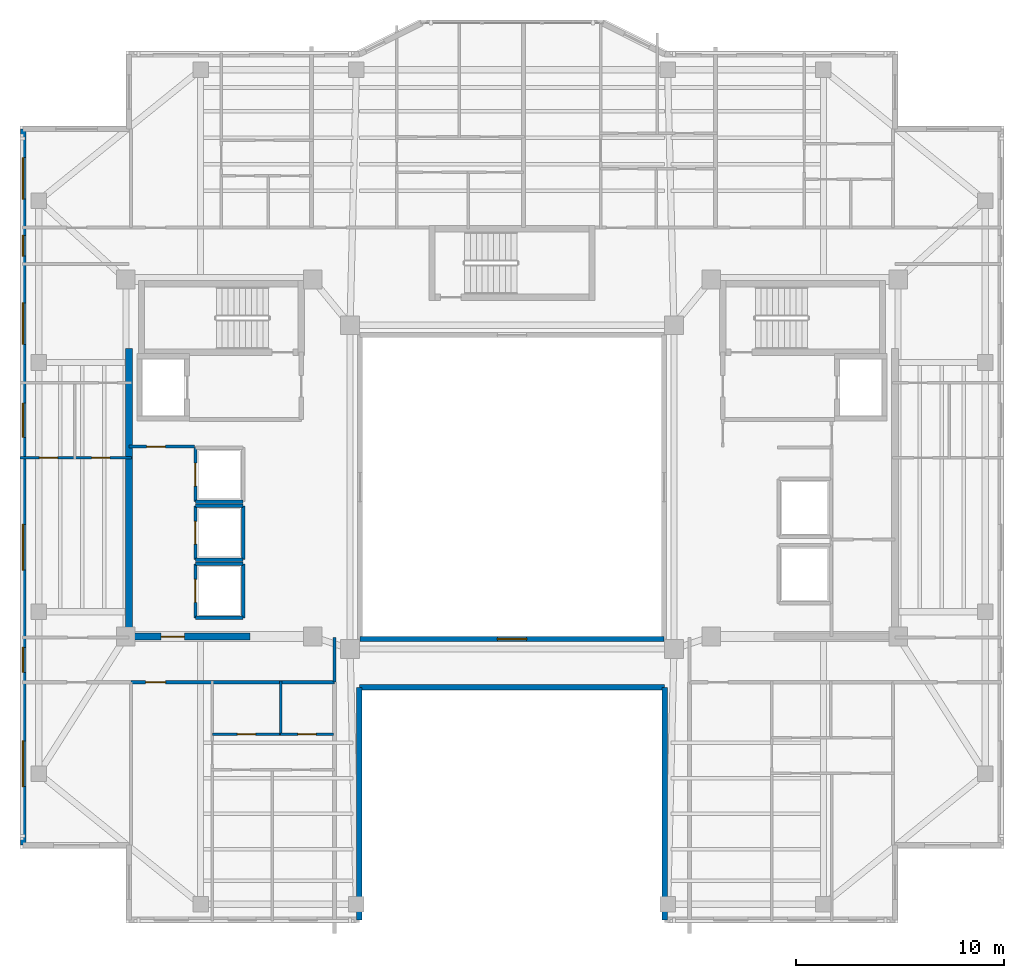
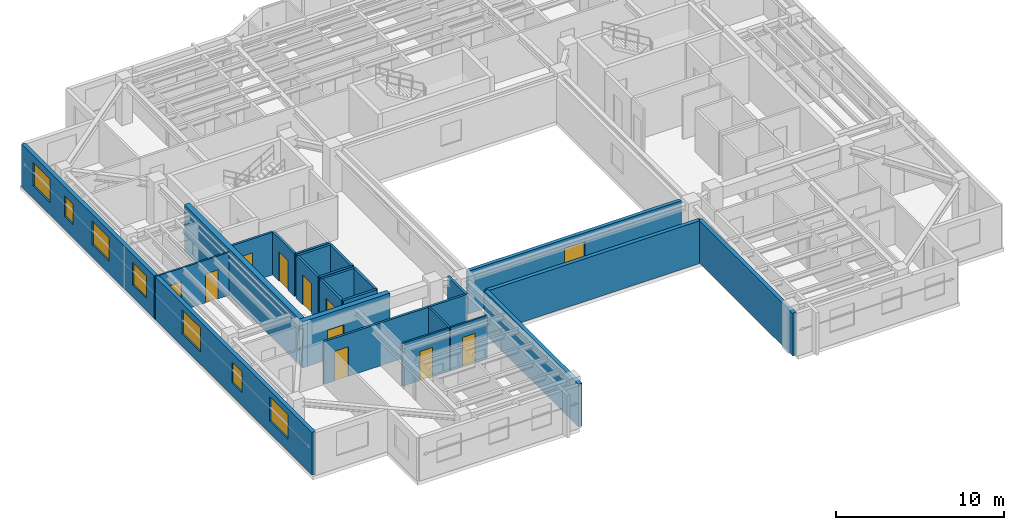
# One storey, part 4 of 12: 24 walls, 10 doors, 8 windows, 18 openings.
"""IFC4 building model written with IfcOpenShell, lengths in metres."""

from ifc_helpers import new_model, si_unit, direction, frame, frame_2d, origin, place, context, subcontext, project, spatial, rectangle, extrude, material, layer, layer_set, type_object, element, fill, save


model = new_model("IFC4")

# Units and contexts
model_context = context("Model", 3, precision=1e-05, world=origin(), true_north=direction((0.0, 1.0)))
body_context = subcontext(model_context, "Body", "Model", "MODEL_VIEW")
ifc_project = project(units=[si_unit("LENGTHUNIT", "METRE"), si_unit("AREAUNIT", "SQUARE_METRE"), si_unit("VOLUMEUNIT", "CUBIC_METRE"), si_unit("PLANEANGLEUNIT", "RADIAN"), si_unit("MASSUNIT", "GRAM", prefix="KILO")], contexts=[model_context])

# Site, building, storey
site_placement = place(None, origin())
site = spatial("IfcSite", under=ifc_project, at=site_placement, CompositionType="ELEMENT")
building_placement = place(site_placement, origin())
building = spatial("IfcBuilding", under=site, at=building_placement, Name="Tarnavaz Court Tower", CompositionType="ELEMENT")
storey_placement = place(building_placement, frame((0.0, 0.0, 200.300048828125)))
storey = spatial("IfcBuildingStorey", under=building, at=storey_placement, Name="L54", CompositionType="ELEMENT", Elevation=200.300048828125)

# Wall
ifc_material_1 = material(Name="Concrete C50/60", Category="concrete")
ifc_layer_1 = layer(ifc_material_1, 0.35009765625)
ifc_layer_set_1 = layer_set([ifc_layer_1], Name="Concrete C50/60")
wall_type_1 = type_object("IfcWallType", Name="WL-CORE-350-C50", PredefinedType="SHEAR", material=ifc_layer_set_1)
wall_1_placement = place(storey_placement, frame((-18.449951171875, -7.375, 0.0), z_axis=(0.0, 0.0, 1.0), x_axis=(0.0, 1.0, 0.0)))
element("IfcWall", 1, at=wall_1_placement, inside=storey, type_object=wall_type_1, Name="L54 West Core Shear Wall 045", PredefinedType="SHEAR", context=body_context, shape_type="SweptSolid", body=[
    extrude(rectangle(XDim=14.050048828125, YDim=0.35009765625, at=frame_2d((7.02490234375, 0.0))), origin(), (0.0, 0.0, 1.0), 3.349853515625),
])

# Wall, opening, door
wall_2_placement = place(storey_placement, frame((-18.625, -7.199951171875, 0.0), z_axis=(0.0, 0.0, 1.0), x_axis=(1.0, 0.0, 0.0)))
wall_2 = element("IfcWall", 2, at=wall_2_placement, inside=storey, type_object=wall_type_1, Name="L54 West Core South Shear Wall 046", PredefinedType="SHEAR", context=body_context, shape_type="SweptSolid", body=[
    extrude(rectangle(XDim=6.0, YDim=0.35009765625, at=frame_2d((3.0, 0.0))), origin(), (0.0, 0.0, 1.0), 3.349853515625),
])
opening_1_placement = place(wall_2_placement, frame((1.72509765625, 0.0, 0.0)))
opening_1 = element("IfcOpeningElement", 3, at=opening_1_placement, cuts=wall_2, Name="Opening D04", PredefinedType="OPENING", context=body_context, shape_type="SweptSolid", body=[
    extrude(rectangle(XDim=1.1201171875, YDim=2.14990234375, at=frame_2d((0.56005859375, 1.074951171875))), frame((0.0, 0.18505859375, 0.0), z_axis=(0.0, -1.0, 0.0), x_axis=(1.0, 0.0, 0.0)), (0.0, 0.0, 1.0), 0.3701171875),
])
ifc_material_2 = material(Name="Fire-Rated Hardwood Timber Core", Category="wood")
door_type_1 = type_object("IfcDoorType", Name="DR-FD60-1100", OperationType="NOTDEFINED", PredefinedType="DOOR", material=ifc_material_2)
door_1_placement = place(opening_1_placement, origin())
door_1 = element("IfcDoor", 4, at=door_1_placement, inside=storey, type_object=door_type_1, Name="L54 West High-Rise Lift Lobby Door", OperationType="SINGLE_SWING_LEFT", OverallHeight=2.14990234375, OverallWidth=1.1201171875, PredefinedType="DOOR", context=body_context, shape_type="SweptSolid", body=[
    extrude(rectangle(XDim=1.1201171875, YDim=2.14990234375, at=frame_2d((0.56005859375, 1.074951171875))), frame((0.0, 0.02490234375, 0.0), z_axis=(0.0, -1.0, 0.0), x_axis=(1.0, 0.0, 0.0)), (0.0, 0.0, 1.0), 0.050048828125),
])
fill(opening_1, door_1)

# Wall, openings, windows
ifc_material_3 = material(Name="Precast Concrete C40/50", Category="concrete")
ifc_layer_2 = layer(ifc_material_3, 0.260009765625)
ifc_layer_set_2 = layer_set([ifc_layer_2], Name="Precast Concrete C40/50")
wall_type_2 = type_object("IfcWallType", Name="WL-EXT-260", PredefinedType="SOLIDWALL", material=ifc_layer_set_2)
wall_3_placement = place(storey_placement, frame((-23.550048828125, -17.25, 0.0), z_axis=(0.0, 0.0, 1.0), x_axis=(0.0, 1.0, 0.0)))
wall_3 = element("IfcWall", 5, at=wall_3_placement, inside=storey, type_object=wall_type_2, Name="L54 Exterior Terracotta Facade Wall 02", PredefinedType="SOLIDWALL", context=body_context, shape_type="SweptSolid", body=[
    extrude(rectangle(XDim=34.5, YDim=0.260009765625, at=frame_2d((17.25, 0.0))), origin(), (0.0, 0.0, 1.0), 3.099853515625),
])
opening_2_placement = place(wall_3_placement, frame((2.824951171875, 0.0, 0.89990234375)))
opening_2 = element("IfcOpeningElement", 6, at=opening_2_placement, cuts=wall_3, Name="Opening W07", PredefinedType="OPENING", context=body_context, shape_type="SweptSolid", body=[
    extrude(rectangle(XDim=2.199951171875, YDim=1.75, at=frame_2d((1.10009765625, 0.875))), frame((0.0, 0.139892578125, 0.0), z_axis=(0.0, -1.0, 0.0), x_axis=(1.0, 0.0, 0.0)), (0.0, 0.0, 1.0), 0.280029296875),
])
opening_3_placement = place(wall_3_placement, frame((8.324951171875, 0.0, 0.949951171875)))
opening_3 = element("IfcOpeningElement", 7, at=opening_3_placement, cuts=wall_3, Name="Opening W05", PredefinedType="OPENING", context=body_context, shape_type="SweptSolid", body=[
    extrude(rectangle(XDim=1.199951171875, YDim=1.5, at=frame_2d((0.60009765625, 0.75))), frame((0.0, 0.139892578125, 0.0), z_axis=(0.0, -1.0, 0.0), x_axis=(1.0, 0.0, 0.0)), (0.0, 0.0, 1.0), 0.280029296875),
])
opening_4_placement = place(wall_3_placement, frame((13.25, 0.0, 0.89990234375)))
opening_4 = element("IfcOpeningElement", 8, at=opening_4_placement, cuts=wall_3, Name="Opening W07", PredefinedType="OPENING", context=body_context, shape_type="SweptSolid", body=[
    extrude(rectangle(XDim=2.199951171875, YDim=1.75, at=frame_2d((1.10009765625, 0.875))), frame((0.0, 0.139892578125, 0.0), z_axis=(0.0, -1.0, 0.0), x_axis=(1.0, 0.0, 0.0)), (0.0, 0.0, 1.0), 0.280029296875),
])
opening_5_placement = place(wall_3_placement, frame((19.64990234375, 0.0, 0.89990234375)))
opening_5 = element("IfcOpeningElement", 9, at=opening_5_placement, cuts=wall_3, Name="Opening W02", PredefinedType="OPENING", context=body_context, shape_type="SweptSolid", body=[
    extrude(rectangle(XDim=1.64990234375, YDim=1.60009765625, at=frame_2d((0.824951171875, 0.800048828125))), frame((0.0, 0.139892578125, 0.0), z_axis=(0.0, -1.0, 0.0), x_axis=(1.0, 0.0, 0.0)), (0.0, 0.0, 1.0), 0.280029296875),
])
opening_6_placement = place(wall_3_placement, frame((24.125, 0.0, 0.89990234375)))
opening_6 = element("IfcOpeningElement", 10, at=opening_6_placement, cuts=wall_3, Name="Opening W08", PredefinedType="OPENING", context=body_context, shape_type="SweptSolid", body=[
    extrude(rectangle(XDim=2.0, YDim=1.699951171875, at=frame_2d((1.0, 0.85009765625))), frame((0.0, 0.139892578125, 0.0), z_axis=(0.0, -1.0, 0.0), x_axis=(1.0, 0.0, 0.0)), (0.0, 0.0, 1.0), 0.280029296875),
])
opening_7_placement = place(wall_3_placement, frame((28.375, 0.0, 0.949951171875)))
opening_7 = element("IfcOpeningElement", 11, at=opening_7_placement, cuts=wall_3, Name="Opening W14", PredefinedType="OPENING", context=body_context, shape_type="SweptSolid", body=[
    extrude(rectangle(XDim=1.0, YDim=1.5, at=frame_2d((0.5, 0.75))), frame((0.0, 0.139892578125, 0.0), z_axis=(0.0, -1.0, 0.0), x_axis=(1.0, 0.0, 0.0)), (0.0, 0.0, 1.0), 0.280029296875),
])
opening_8_placement = place(wall_3_placement, frame((31.125, 0.0, 0.89990234375)))
opening_8 = element("IfcOpeningElement", 12, at=opening_8_placement, cuts=wall_3, Name="Opening W08", PredefinedType="OPENING", context=body_context, shape_type="SweptSolid", body=[
    extrude(rectangle(XDim=2.0, YDim=1.699951171875, at=frame_2d((1.0, 0.85009765625))), frame((0.0, 0.139892578125, 0.0), z_axis=(0.0, -1.0, 0.0), x_axis=(1.0, 0.0, 0.0)), (0.0, 0.0, 1.0), 0.280029296875),
])
ifc_material_4 = material(Name="Double-Glazed Solar Low-E Glass", Category="glass")
window_type_1 = type_object("IfcWindowType", Name="WN-APT-1000", PartitioningType="SINGLE_PANEL", PredefinedType="WINDOW", material=ifc_material_4)
window_1_placement = place(opening_7_placement, origin())
window_1 = element("IfcWindow", 13, at=window_1_placement, inside=storey, type_object=window_type_1, Name="L54 North-West Corner Corridor Window", OverallHeight=1.5, OverallWidth=1.0, PartitioningType="SINGLE_PANEL", PredefinedType="WINDOW", context=body_context, shape_type="SweptSolid", body=[
    extrude(rectangle(XDim=1.0, YDim=1.5, at=frame_2d((0.5, 0.75))), frame((0.0, 0.030029296875, 0.0), z_axis=(0.0, -1.0, 0.0), x_axis=(1.0, 0.0, 0.0)), (0.0, 0.0, 1.0), 0.06005859375),
])
fill(opening_7, window_1)
window_type_2 = type_object("IfcWindowType", Name="WN-APT-1200", PartitioningType="SINGLE_PANEL", PredefinedType="WINDOW", material=ifc_material_4)
window_2_placement = place(opening_3_placement, origin())
window_2 = element("IfcWindow", 14, at=window_2_placement, inside=storey, type_object=window_type_2, Name="L54 South-West Corner Corridor Window", OverallHeight=1.5, OverallWidth=1.199951171875, PartitioningType="SINGLE_PANEL", PredefinedType="WINDOW", context=body_context, shape_type="SweptSolid", body=[
    extrude(rectangle(XDim=1.199951171875, YDim=1.5, at=frame_2d((0.60009765625, 0.75))), frame((0.0, 0.030029296875, 0.0), z_axis=(0.0, -1.0, 0.0), x_axis=(1.0, 0.0, 0.0)), (0.0, 0.0, 1.0), 0.06005859375),
])
fill(opening_3, window_2)
window_type_3 = type_object("IfcWindowType", Name="WN-APT-1650", PartitioningType="DOUBLE_PANEL_VERTICAL", PredefinedType="WINDOW", material=ifc_material_4)
window_3_placement = place(opening_5_placement, origin())
window_3 = element("IfcWindow", 15, at=window_3_placement, inside=storey, type_object=window_type_3, Name="L54 Flat 07 Kitchen Window", OverallHeight=1.60009765625, OverallWidth=1.64990234375, PartitioningType="SINGLE_PANEL", PredefinedType="WINDOW", context=body_context, shape_type="SweptSolid", body=[
    extrude(rectangle(XDim=1.64990234375, YDim=1.60009765625, at=frame_2d((0.824951171875, 0.800048828125))), frame((0.0, 0.030029296875, 0.0), z_axis=(0.0, -1.0, 0.0), x_axis=(1.0, 0.0, 0.0)), (0.0, 0.0, 1.0), 0.06005859375),
])
fill(opening_5, window_3)
window_type_4 = type_object("IfcWindowType", Name="WN-APT-2000", PartitioningType="DOUBLE_PANEL_VERTICAL", PredefinedType="WINDOW", material=ifc_material_4)
window_4_placement = place(opening_6_placement, origin())
window_4 = element("IfcWindow", 16, at=window_4_placement, inside=storey, type_object=window_type_4, Name="L54 Flat 07 Study Room Window", OverallHeight=1.699951171875, OverallWidth=2.0, PartitioningType="SINGLE_PANEL", PredefinedType="WINDOW", context=body_context, shape_type="SweptSolid", body=[
    extrude(rectangle(XDim=2.0, YDim=1.699951171875, at=frame_2d((1.0, 0.85009765625))), frame((0.0, 0.030029296875, 0.0), z_axis=(0.0, -1.0, 0.0), x_axis=(1.0, 0.0, 0.0)), (0.0, 0.0, 1.0), 0.06005859375),
])
fill(opening_6, window_4)
window_5_placement = place(opening_8_placement, origin())
window_5 = element("IfcWindow", 17, at=window_5_placement, inside=storey, type_object=window_type_4, Name="L54 North-West Corner Sunroom Study Window", OverallHeight=1.699951171875, OverallWidth=2.0, PartitioningType="SINGLE_PANEL", PredefinedType="WINDOW", context=body_context, shape_type="SweptSolid", body=[
    extrude(rectangle(XDim=2.0, YDim=1.699951171875, at=frame_2d((1.0, 0.85009765625))), frame((0.0, 0.030029296875, 0.0), z_axis=(0.0, -1.0, 0.0), x_axis=(1.0, 0.0, 0.0)), (0.0, 0.0, 1.0), 0.06005859375),
])
fill(opening_8, window_5)
window_type_5 = type_object("IfcWindowType", Name="WN-APT-2200", PartitioningType="TRIPLE_PANEL_VERTICAL", PredefinedType="WINDOW", material=ifc_material_4)
window_6_placement = place(opening_2_placement, origin())
window_6 = element("IfcWindow", 18, at=window_6_placement, inside=storey, type_object=window_type_5, Name="L54 South-West Corner Reading Room Window", OverallHeight=1.75, OverallWidth=2.199951171875, PartitioningType="SINGLE_PANEL", PredefinedType="WINDOW", context=body_context, shape_type="SweptSolid", body=[
    extrude(rectangle(XDim=2.199951171875, YDim=1.75, at=frame_2d((1.10009765625, 0.875))), frame((0.0, 0.030029296875, 0.0), z_axis=(0.0, -1.0, 0.0), x_axis=(1.0, 0.0, 0.0)), (0.0, 0.0, 1.0), 0.06005859375),
])
fill(opening_2, window_6)
window_7_placement = place(opening_4_placement, origin())
window_7 = element("IfcWindow", 19, at=window_7_placement, inside=storey, type_object=window_type_5, Name="L54 Flat 07 Studio Living and Sleeping Room Window", OverallHeight=1.75, OverallWidth=2.199951171875, PartitioningType="SINGLE_PANEL", PredefinedType="WINDOW", context=body_context, shape_type="SweptSolid", body=[
    extrude(rectangle(XDim=2.199951171875, YDim=1.75, at=frame_2d((1.10009765625, 0.875))), frame((0.0, 0.030029296875, 0.0), z_axis=(0.0, -1.0, 0.0), x_axis=(1.0, 0.0, 0.0)), (0.0, 0.0, 1.0), 0.06005859375),
])
fill(opening_4, window_7)

# Walls
wall_4_placement = place(storey_placement, frame((7.35009765625, -20.85009765625, 0.0), z_axis=(0.0, 0.0, 1.0), x_axis=(0.0, 1.0, 0.0)))
element("IfcWall", 20, at=wall_4_placement, inside=storey, type_object=wall_type_2, Name="L54 Exterior Terracotta Facade Wall 16", PredefinedType="SOLIDWALL", context=body_context, shape_type="SweptSolid", body=[
    extrude(rectangle(XDim=11.2001953125, YDim=0.260009765625, at=frame_2d((5.60009765625, 0.0))), origin(), (0.0, 0.0, 1.0), 3.099853515625),
])
wall_5_placement = place(storey_placement, frame((7.35009765625, -9.64990234375, 0.0), z_axis=(0.0, 0.0, 1.0), x_axis=(-1.0, 0.0, 0.0)))
element("IfcWall", 21, at=wall_5_placement, inside=storey, type_object=wall_type_2, Name="L54 Exterior Terracotta Facade Wall 17", PredefinedType="SOLIDWALL", context=body_context, shape_type="SweptSolid", body=[
    extrude(rectangle(XDim=14.7001953125, YDim=0.260009765625, at=frame_2d((7.35009765625, 0.0))), origin(), (0.0, 0.0, 1.0), 3.099853515625),
])
wall_6_placement = place(storey_placement, frame((-7.35009765625, -9.64990234375, 0.0), z_axis=(0.0, 0.0, 1.0), x_axis=(0.0, -1.0, 0.0)))
element("IfcWall", 22, at=wall_6_placement, inside=storey, type_object=wall_type_2, Name="L54 Exterior Terracotta Facade Wall 18", PredefinedType="SOLIDWALL", context=body_context, shape_type="SweptSolid", body=[
    extrude(rectangle(XDim=11.2001953125, YDim=0.260009765625, at=frame_2d((5.60009765625, 0.0))), origin(), (0.0, 0.0, 1.0), 3.099853515625),
])

# Wall, opening, door
ifc_material_5 = material(Name="Gypsum Fire-Board on Acoustic Metal Stud", Category="masonry")
ifc_layer_3 = layer(ifc_material_5, 0.14990234375)
ifc_layer_set_3 = layer_set([ifc_layer_3], Name="Gypsum Fire-Board on Acoustic Metal Stud")
wall_type_3 = type_object("IfcWallType", Name="WL-FIRE-150", PredefinedType="PARTITIONING", material=ifc_layer_set_3)
wall_7_placement = place(storey_placement, frame((-18.35009765625, -9.39990234375, 0.0), z_axis=(0.0, 0.0, 1.0), x_axis=(1.0, 0.0, 0.0)))
wall_7 = element("IfcWall", 23, at=wall_7_placement, inside=storey, type_object=wall_type_3, Name="L54 SW Lobby Wall 056", PredefinedType="PARTITIONING", context=body_context, shape_type="SweptSolid", body=[
    extrude(rectangle(XDim=9.800048828125, YDim=0.14990234375, at=frame_2d((4.89990234375, 0.0))), origin(), (0.0, 0.0, 1.0), 3.099853515625),
])
opening_9_placement = place(wall_7_placement, frame((0.699951171875, 0.0, 0.0)))
opening_9 = element("IfcOpeningElement", 24, at=opening_9_placement, cuts=wall_7, Name="Opening D06", PredefinedType="OPENING", context=body_context, shape_type="SweptSolid", body=[
    extrude(rectangle(XDim=0.9599609375, YDim=2.14990234375, at=frame_2d((0.47998046875, 1.074951171875))), frame((0.0, 0.0849609375, 0.0), z_axis=(0.0, -1.0, 0.0), x_axis=(1.0, 0.0, 0.0)), (0.0, 0.0, 1.0), 0.169921875),
])
door_type_2 = type_object("IfcDoorType", Name="DR-FD60-950", OperationType="NOTDEFINED", PredefinedType="DOOR", material=ifc_material_2)
door_2_placement = place(opening_9_placement, origin())
door_2 = element("IfcDoor", 25, at=door_2_placement, inside=storey, type_object=door_type_2, Name="L54 Flat 05 Entrance Door", OperationType="SINGLE_SWING_RIGHT", OverallHeight=2.14990234375, OverallWidth=0.9599609375, PredefinedType="DOOR", context=body_context, shape_type="SweptSolid", body=[
    extrude(rectangle(XDim=0.9599609375, YDim=2.14990234375, at=frame_2d((0.47998046875, 1.074951171875))), frame((0.0, 0.02490234375, 0.0), z_axis=(0.0, -1.0, 0.0), x_axis=(1.0, 0.0, 0.0)), (0.0, 0.0, 1.0), 0.050048828125),
])
fill(opening_9, door_2)

# Wall
wall_8_placement = place(storey_placement, frame((-8.550048828125, -9.39990234375, 0.0), z_axis=(0.0, 0.0, 1.0), x_axis=(0.0, 1.0, 0.0)))
element("IfcWall", 26, at=wall_8_placement, inside=storey, type_object=wall_type_3, Name="L54 West Spine End Wall 058", PredefinedType="PARTITIONING", context=body_context, shape_type="SweptSolid", body=[
    extrude(rectangle(XDim=2.14990234375, YDim=0.14990234375, at=frame_2d((1.074951171875, 0.0))), origin(), (0.0, 0.0, 1.0), 3.099853515625),
])

# Wall, opening, door
ifc_material_6 = material(Name="Moisture-Resistant Gypsum Board Partition", Category="masonry")
ifc_layer_4 = layer(ifc_material_6, 0.1201171875)
ifc_layer_set_4 = layer_set([ifc_layer_4], Name="Moisture-Resistant Gypsum Board Partition")
wall_type_4 = type_object("IfcWallType", Name="WL-PART-120", PredefinedType="PARTITIONING", material=ifc_layer_set_4)
wall_9_placement = place(storey_placement, frame((-14.43798828125, -11.909912109375, 0.0), z_axis=(0.0, 0.0, 1.0), x_axis=(1.0, 0.0, 0.0)))
wall_9 = element("IfcWall", 27, at=wall_9_placement, inside=storey, type_object=wall_type_4, Name="L54 Interior Partition 086", PredefinedType="PARTITIONING", context=body_context, shape_type="SweptSolid", body=[
    extrude(rectangle(XDim=3.29296875, YDim=0.1201171875, at=frame_2d((1.646484375, 0.0))), origin(), (0.0, 0.0, 1.0), 3.099853515625),
])
opening_10_placement = place(wall_9_placement, frame((1.20703125, 0.0, 0.0)))
opening_10 = element("IfcOpeningElement", 28, at=opening_10_placement, cuts=wall_9, Name="Opening D14", PredefinedType="OPENING", context=body_context, shape_type="SweptSolid", body=[
    extrude(rectangle(XDim=0.8798828125, YDim=2.10009765625, at=frame_2d((0.43994140625, 1.050048828125))), frame((0.0, 0.070068359375, 0.0), z_axis=(0.0, -1.0, 0.0), x_axis=(1.0, 0.0, 0.0)), (0.0, 0.0, 1.0), 0.14013671875),
])
ifc_material_7 = material(Name="Engineered Oak Timber", Category="wood")
door_type_3 = type_object("IfcDoorType", Name="DR-INT-900", OperationType="NOTDEFINED", PredefinedType="DOOR", material=ifc_material_7)
door_3_placement = place(opening_10_placement, origin())
door_3 = element("IfcDoor", 29, at=door_3_placement, inside=storey, type_object=door_type_3, Name="L54 Flat 05 Kitchen Door", OperationType="SINGLE_SWING_RIGHT", OverallHeight=2.10009765625, OverallWidth=0.8798828125, PredefinedType="DOOR", context=body_context, shape_type="SweptSolid", body=[
    extrude(rectangle(XDim=0.8798828125, YDim=2.10009765625, at=frame_2d((0.43994140625, 1.050048828125))), frame((0.0, 0.02490234375, 0.0), z_axis=(0.0, -1.0, 0.0), x_axis=(1.0, 0.0, 0.0)), (0.0, 0.0, 1.0), 0.050048828125),
])
fill(opening_10, door_3)

wall_10_placement = place(storey_placement, frame((-11.14501953125, -11.909912109375, 0.0), z_axis=(0.0, 0.0, 1.0), x_axis=(1.0, 0.0, 0.0)))
wall_10 = element("IfcWall", 30, at=wall_10_placement, inside=storey, type_object=wall_type_4, Name="L54 Interior Partition 087", PredefinedType="PARTITIONING", context=body_context, shape_type="SweptSolid", body=[
    extrude(rectangle(XDim=2.544921875, YDim=0.1201171875, at=frame_2d((1.2724609375, 0.0))), origin(), (0.0, 0.0, 1.0), 3.099853515625),
])
opening_11_placement = place(wall_10_placement, frame((0.8330078125, 0.0, 0.0)))
opening_11 = element("IfcOpeningElement", 31, at=opening_11_placement, cuts=wall_10, Name="Opening D14", PredefinedType="OPENING", context=body_context, shape_type="SweptSolid", body=[
    extrude(rectangle(XDim=0.8798828125, YDim=2.10009765625, at=frame_2d((0.43994140625, 1.050048828125))), frame((0.0, 0.070068359375, 0.0), z_axis=(0.0, -1.0, 0.0), x_axis=(1.0, 0.0, 0.0)), (0.0, 0.0, 1.0), 0.14013671875),
])
door_4_placement = place(opening_11_placement, origin())
door_4 = element("IfcDoor", 32, at=door_4_placement, inside=storey, type_object=door_type_3, Name="L54 Flat 05 Bathroom Door", OperationType="SINGLE_SWING_LEFT", OverallHeight=2.10009765625, OverallWidth=0.8798828125, PredefinedType="DOOR", context=body_context, shape_type="SweptSolid", body=[
    extrude(rectangle(XDim=0.8798828125, YDim=2.10009765625, at=frame_2d((0.43994140625, 1.050048828125))), frame((0.0, 0.02490234375, 0.0), z_axis=(0.0, -1.0, 0.0), x_axis=(1.0, 0.0, 0.0)), (0.0, 0.0, 1.0), 0.050048828125),
])
fill(opening_11, door_4)

# Wall
wall_11_placement = place(storey_placement, frame((-11.14501953125, -11.969970703125, 0.0), z_axis=(0.0, 0.0, 1.0), x_axis=(0.0, 1.0, 0.0)))
element("IfcWall", 33, at=wall_11_placement, inside=storey, type_object=wall_type_4, Name="L54 Interior Partition 089", PredefinedType="PARTITIONING", context=body_context, shape_type="SweptSolid", body=[
    extrude(rectangle(XDim=2.6298828125, YDim=0.1201171875, at=frame_2d((1.31494140625, 0.0))), origin(), (0.0, 0.0, 1.0), 3.099853515625),
])

# Wall, openings, doors
wall_12_placement = place(storey_placement, frame((-23.699951171875, 1.419921875, 0.0), z_axis=(0.0, 0.0, 1.0), x_axis=(1.0, 0.0, 0.0)))
wall_12 = element("IfcWall", 34, at=wall_12_placement, inside=storey, type_object=wall_type_4, Name="L54 Interior Partition 111", PredefinedType="PARTITIONING", context=body_context, shape_type="SweptSolid", body=[
    extrude(rectangle(XDim=5.369873046875, YDim=0.1201171875, at=frame_2d((2.68505859375, 0.0))), origin(), (0.0, 0.0, 1.0), 3.099853515625),
])
opening_12_placement = place(wall_12_placement, frame((0.93701171875, 0.0, 0.0)))
opening_12 = element("IfcOpeningElement", 35, at=opening_12_placement, cuts=wall_12, Name="Opening D14", PredefinedType="OPENING", context=body_context, shape_type="SweptSolid", body=[
    extrude(rectangle(XDim=0.8798828125, YDim=2.10009765625, at=frame_2d((0.43994140625, 1.050048828125))), frame((0.0, 0.070068359375, 0.0), z_axis=(0.0, -1.0, 0.0), x_axis=(1.0, 0.0, 0.0)), (0.0, 0.0, 1.0), 0.14013671875),
])
opening_13_placement = place(wall_12_placement, frame((3.451904296875, 0.0, 0.0)))
opening_13 = element("IfcOpeningElement", 36, at=opening_13_placement, cuts=wall_12, Name="Opening D14", PredefinedType="OPENING", context=body_context, shape_type="SweptSolid", body=[
    extrude(rectangle(XDim=0.8798828125, YDim=2.10009765625, at=frame_2d((0.43994140625, 1.050048828125))), frame((0.0, 0.070068359375, 0.0), z_axis=(0.0, -1.0, 0.0), x_axis=(1.0, 0.0, 0.0)), (0.0, 0.0, 1.0), 0.14013671875),
])
door_5_placement = place(opening_12_placement, origin())
door_5 = element("IfcDoor", 37, at=door_5_placement, inside=storey, type_object=door_type_3, Name="L54 Flat 07 Kitchen Door", OperationType="SINGLE_SWING_LEFT", OverallHeight=2.10009765625, OverallWidth=0.8798828125, PredefinedType="DOOR", context=body_context, shape_type="SweptSolid", body=[
    extrude(rectangle(XDim=0.8798828125, YDim=2.10009765625, at=frame_2d((0.43994140625, 1.050048828125))), frame((0.0, 0.02490234375, 0.0), z_axis=(0.0, -1.0, 0.0), x_axis=(1.0, 0.0, 0.0)), (0.0, 0.0, 1.0), 0.050048828125),
])
fill(opening_12, door_5)
door_6_placement = place(opening_13_placement, origin())
door_6 = element("IfcDoor", 38, at=door_6_placement, inside=storey, type_object=door_type_3, Name="L54 Flat 07 Bathroom Door", OperationType="SINGLE_SWING_RIGHT", OverallHeight=2.10009765625, OverallWidth=0.8798828125, PredefinedType="DOOR", context=body_context, shape_type="SweptSolid", body=[
    extrude(rectangle(XDim=0.8798828125, YDim=2.10009765625, at=frame_2d((0.43994140625, 1.050048828125))), frame((0.0, 0.02490234375, 0.0), z_axis=(0.0, -1.0, 0.0), x_axis=(1.0, 0.0, 0.0)), (0.0, 0.0, 1.0), 0.050048828125),
])
fill(opening_13, door_6)

# Wall, opening, door
ifc_material_8 = material(Name="Gypsum Plasterboard Acoustic Partition", Category="masonry")
ifc_layer_5 = layer(ifc_material_8, 0.139892578125)
ifc_layer_set_5 = layer_set([ifc_layer_5], Name="Gypsum Plasterboard Acoustic Partition")
wall_type_5 = type_object("IfcWallType", Name="WL-PART-150", PredefinedType="PARTITIONING", material=ifc_layer_set_5)
wall_13_placement = place(storey_placement, frame((-18.449951171875, 1.949951171875, 0.0), z_axis=(0.0, 0.0, 1.0), x_axis=(1.0, 0.0, 0.0)))
wall_13 = element("IfcWall", 39, at=wall_13_placement, inside=storey, type_object=wall_type_5, Name="L54 Interior Partition 049", PredefinedType="PARTITIONING", context=body_context, shape_type="SweptSolid", body=[
    extrude(rectangle(XDim=3.14990234375, YDim=0.139892578125, at=frame_2d((1.574951171875, 0.0))), origin(), (0.0, 0.0, 1.0), 3.099853515625),
])
opening_14_placement = place(wall_13_placement, frame((0.85009765625, 0.0, 0.0)))
opening_14 = element("IfcOpeningElement", 40, at=opening_14_placement, cuts=wall_13, Name="Opening D09", PredefinedType="OPENING", context=body_context, shape_type="SweptSolid", body=[
    extrude(rectangle(XDim=0.89990234375, YDim=2.080078125, at=frame_2d((0.449951171875, 1.0400390625))), frame((0.0, 0.079833984375, 0.0), z_axis=(0.0, -1.0, 0.0), x_axis=(1.0, 0.0, 0.0)), (0.0, 0.0, 1.0), 0.159912109375),
])
door_type_4 = type_object("IfcDoorType", Name="DR-FD30-900", OperationType="NOTDEFINED", PredefinedType="DOOR", material=ifc_material_2)
door_7_placement = place(opening_14_placement, origin())
door_7 = element("IfcDoor", 41, at=door_7_placement, inside=storey, type_object=door_type_4, Name="L54 West Sky Store Door", OperationType="SINGLE_SWING_RIGHT", OverallHeight=2.080078125, OverallWidth=0.89990234375, PredefinedType="DOOR", context=body_context, shape_type="SweptSolid", body=[
    extrude(rectangle(XDim=0.89990234375, YDim=2.080078125, at=frame_2d((0.449951171875, 1.0400390625))), frame((0.0, 0.02490234375, 0.0), z_axis=(0.0, -1.0, 0.0), x_axis=(1.0, 0.0, 0.0)), (0.0, 0.0, 1.0), 0.050048828125),
])
fill(opening_14, door_7)

ifc_material_9 = material(Name="Autoclaved Aerated Concrete Blockwork", Category="masonry")
ifc_layer_6 = layer(ifc_material_9, 0.159912109375)
ifc_layer_set_6 = layer_set([ifc_layer_6], Name="Autoclaved Aerated Concrete Blockwork")
wall_type_6 = type_object("IfcWallType", Name="WL-SHAFT-150", PredefinedType="SOLIDWALL", material=ifc_layer_set_6)
wall_14_placement = place(storey_placement, frame((-15.25, -6.300048828125, 0.0), z_axis=(0.0, 0.0, 1.0), x_axis=(0.0, 1.0, 0.0)))
wall_14 = element("IfcWall", 42, at=wall_14_placement, inside=storey, type_object=wall_type_6, Name="L54 Lift PL-H1 Shaft Wall 021", PredefinedType="SOLIDWALL", context=body_context, shape_type="SweptSolid", body=[
    extrude(rectangle(XDim=2.60009765625, YDim=0.159912109375, at=frame_2d((1.300048828125, 0.0))), origin(), (0.0, 0.0, 1.0), 3.099853515625),
])
opening_15_placement = place(wall_14_placement, frame((0.75, 0.0, 0.0)))
opening_15 = element("IfcOpeningElement", 43, at=opening_15_placement, cuts=wall_14, Name="Opening LD1", PredefinedType="OPENING", context=body_context, shape_type="SweptSolid", body=[
    extrude(rectangle(XDim=1.10009765625, YDim=2.14990234375, at=frame_2d((0.550048828125, 1.074951171875))), frame((0.0, 0.08984375, 0.0), z_axis=(0.0, -1.0, 0.0), x_axis=(1.0, 0.0, 0.0)), (0.0, 0.0, 1.0), 0.179931640625),
])
ifc_material_10 = material(Name="Stainless Steel", Category="steel")
door_type_5 = type_object("IfcDoorType", Name="DR-LD-1100", OperationType="NOTDEFINED", PredefinedType="DOOR", material=ifc_material_10)
door_8_placement = place(opening_15_placement, origin())
door_8 = element("IfcDoor", 44, at=door_8_placement, inside=storey, type_object=door_type_5, Name="L54 Lift Landing Door LD-PL-H1", OperationType="SLIDING_TO_LEFT", OverallHeight=2.14990234375, OverallWidth=1.10009765625, PredefinedType="DOOR", context=body_context, shape_type="SweptSolid", body=[
    extrude(rectangle(XDim=1.10009765625, YDim=2.14990234375, at=frame_2d((0.550048828125, 1.074951171875))), frame((0.0, 0.02490234375, 0.0), z_axis=(0.0, -1.0, 0.0), x_axis=(1.0, 0.0, 0.0)), (0.0, 0.0, 1.0), 0.050048828125),
])
fill(opening_15, door_8)

# Walls
wall_15_placement = place(storey_placement, frame((-12.949951171875, -6.300048828125, 0.0), z_axis=(0.0, 0.0, 1.0), x_axis=(0.0, 1.0, 0.0)))
element("IfcWall", 45, at=wall_15_placement, inside=storey, type_object=wall_type_6, Name="L54 Lift PL-H1 Shaft Wall 022", PredefinedType="SOLIDWALL", context=body_context, shape_type="SweptSolid", body=[
    extrude(rectangle(XDim=2.60009765625, YDim=0.159912109375, at=frame_2d((1.300048828125, 0.0))), origin(), (0.0, 0.0, 1.0), 3.099853515625),
])
for number, where, z_axis, x_axis, name in (
    (46, (-15.25, -6.300048828125, 0.0), (0.0, 0.0, 1.0), (1.0, 0.0, 0.0), "L54 Lift PL-H1 Shaft Wall 023"),
    (47, (-15.25, -3.699951171875, 0.0), (0.0, 0.0, 1.0), (1.0, 0.0, 0.0), "L54 Lift PL-H1 Shaft Wall 024"),
):
    element("IfcWall", number, at=place(storey_placement, frame(where, z_axis=z_axis, x_axis=x_axis)), inside=storey, type_object=wall_type_6, Name=name, PredefinedType="SOLIDWALL", context=body_context, shape_type="SweptSolid", body=[
        extrude(rectangle(XDim=2.300048828125, YDim=0.159912109375, at=frame_2d((1.14990234375, 0.0))), origin(), (0.0, 0.0, 1.0), 3.099853515625),
    ])

# Wall, opening, door
wall_16_placement = place(storey_placement, frame((-15.25, -3.5, 0.0), z_axis=(0.0, 0.0, 1.0), x_axis=(0.0, 1.0, 0.0)))
wall_16 = element("IfcWall", 48, at=wall_16_placement, inside=storey, type_object=wall_type_6, Name="L54 Lift PL-H2 Shaft Wall 025", PredefinedType="SOLIDWALL", context=body_context, shape_type="SweptSolid", body=[
    extrude(rectangle(XDim=2.60009765625, YDim=0.159912109375, at=frame_2d((1.300048828125, 0.0))), origin(), (0.0, 0.0, 1.0), 3.099853515625),
])
opening_16_placement = place(wall_16_placement, frame((0.75, 0.0, 0.0)))
opening_16 = element("IfcOpeningElement", 49, at=opening_16_placement, cuts=wall_16, Name="Opening LD1", PredefinedType="OPENING", context=body_context, shape_type="SweptSolid", body=[
    extrude(rectangle(XDim=1.10009765625, YDim=2.14990234375, at=frame_2d((0.550048828125, 1.074951171875))), frame((0.0, 0.08984375, 0.0), z_axis=(0.0, -1.0, 0.0), x_axis=(1.0, 0.0, 0.0)), (0.0, 0.0, 1.0), 0.179931640625),
])
door_9_placement = place(opening_16_placement, origin())
door_9 = element("IfcDoor", 50, at=door_9_placement, inside=storey, type_object=door_type_5, Name="L54 Lift Landing Door LD-PL-H2", OperationType="SLIDING_TO_LEFT", OverallHeight=2.14990234375, OverallWidth=1.10009765625, PredefinedType="DOOR", context=body_context, shape_type="SweptSolid", body=[
    extrude(rectangle(XDim=1.10009765625, YDim=2.14990234375, at=frame_2d((0.550048828125, 1.074951171875))), frame((0.0, 0.02490234375, 0.0), z_axis=(0.0, -1.0, 0.0), x_axis=(1.0, 0.0, 0.0)), (0.0, 0.0, 1.0), 0.050048828125),
])
fill(opening_16, door_9)

# Walls
wall_17_placement = place(storey_placement, frame((-12.949951171875, -3.5, 0.0), z_axis=(0.0, 0.0, 1.0), x_axis=(0.0, 1.0, 0.0)))
element("IfcWall", 51, at=wall_17_placement, inside=storey, type_object=wall_type_6, Name="L54 Lift PL-H2 Shaft Wall 026", PredefinedType="SOLIDWALL", context=body_context, shape_type="SweptSolid", body=[
    extrude(rectangle(XDim=2.60009765625, YDim=0.159912109375, at=frame_2d((1.300048828125, 0.0))), origin(), (0.0, 0.0, 1.0), 3.099853515625),
])
for number, where, z_axis, x_axis, name in (
    (52, (-15.25, -3.5, 0.0), (0.0, 0.0, 1.0), (1.0, 0.0, 0.0), "L54 Lift PL-H2 Shaft Wall 027"),
    (53, (-15.25, -0.89990234375, 0.0), (0.0, 0.0, 1.0), (1.0, 0.0, 0.0), "L54 Lift PL-H2 Shaft Wall 028"),
):
    element("IfcWall", number, at=place(storey_placement, frame(where, z_axis=z_axis, x_axis=x_axis)), inside=storey, type_object=wall_type_6, Name=name, PredefinedType="SOLIDWALL", context=body_context, shape_type="SweptSolid", body=[
        extrude(rectangle(XDim=2.300048828125, YDim=0.159912109375, at=frame_2d((1.14990234375, 0.0))), origin(), (0.0, 0.0, 1.0), 3.099853515625),
    ])

# Wall, opening, door
wall_18_placement = place(storey_placement, frame((-15.25, -0.699951171875, 0.0), z_axis=(0.0, 0.0, 1.0), x_axis=(0.0, 1.0, 0.0)))
wall_18 = element("IfcWall", 54, at=wall_18_placement, inside=storey, type_object=wall_type_6, Name="L54 Lift PL-H3 Shaft Wall 029", PredefinedType="SOLIDWALL", context=body_context, shape_type="SweptSolid", body=[
    extrude(rectangle(XDim=2.599853515625, YDim=0.159912109375, at=frame_2d((1.2998046875, 0.0))), origin(), (0.0, 0.0, 1.0), 3.099853515625),
])
opening_17_placement = place(wall_18_placement, frame((0.75, 0.0, 0.0)))
opening_17 = element("IfcOpeningElement", 55, at=opening_17_placement, cuts=wall_18, Name="Opening LD1", PredefinedType="OPENING", context=body_context, shape_type="SweptSolid", body=[
    extrude(rectangle(XDim=1.10009765625, YDim=2.14990234375, at=frame_2d((0.550048828125, 1.074951171875))), frame((0.0, 0.08984375, 0.0), z_axis=(0.0, -1.0, 0.0), x_axis=(1.0, 0.0, 0.0)), (0.0, 0.0, 1.0), 0.179931640625),
])
door_10_placement = place(opening_17_placement, origin())
door_10 = element("IfcDoor", 56, at=door_10_placement, inside=storey, type_object=door_type_5, Name="L54 Lift Landing Door LD-PL-H3", OperationType="SLIDING_TO_LEFT", OverallHeight=2.14990234375, OverallWidth=1.10009765625, PredefinedType="DOOR", context=body_context, shape_type="SweptSolid", body=[
    extrude(rectangle(XDim=1.10009765625, YDim=2.14990234375, at=frame_2d((0.550048828125, 1.074951171875))), frame((0.0, 0.02490234375, 0.0), z_axis=(0.0, -1.0, 0.0), x_axis=(1.0, 0.0, 0.0)), (0.0, 0.0, 1.0), 0.050048828125),
])
fill(opening_17, door_10)

# Wall
wall_19_placement = place(storey_placement, frame((-15.25, -0.699951171875, 0.0), z_axis=(0.0, 0.0, 1.0), x_axis=(1.0, 0.0, 0.0)))
element("IfcWall", 57, at=wall_19_placement, inside=storey, type_object=wall_type_6, Name="L54 Lift PL-H3 Shaft Wall 031", PredefinedType="SOLIDWALL", context=body_context, shape_type="SweptSolid", body=[
    extrude(rectangle(XDim=2.300048828125, YDim=0.159912109375, at=frame_2d((1.14990234375, 0.0))), origin(), (0.0, 0.0, 1.0), 3.099853515625),
])

# Wall, opening, window
ifc_layer_7 = layer(ifc_material_3, 0.239990234375)
ifc_layer_set_7 = layer_set([ifc_layer_7], Name="Precast Concrete C40/50")
wall_type_7 = type_object("IfcWallType", Name="WL-WELL-240", PredefinedType="SOLIDWALL", material=ifc_layer_set_7)
wall_20_placement = place(storey_placement, frame((-7.320068359375, -7.320068359375, 0.0), z_axis=(0.0, 0.0, 1.0), x_axis=(1.0, 0.0, 0.0)))
wall_20 = element("IfcWall", 58, at=wall_20_placement, inside=storey, type_object=wall_type_7, Name="L54 Badgir Light-Well Exterior Wall S", PredefinedType="SOLIDWALL", context=body_context, shape_type="SweptSolid", body=[
    extrude(rectangle(XDim=14.64013671875, YDim=0.239990234375, at=frame_2d((7.320068359375, 0.0))), origin(), (0.0, 0.0, 1.0), 3.099853515625),
])
opening_18_placement = place(wall_20_placement, frame((6.6201171875, 0.0, 0.949951171875)))
opening_18 = element("IfcOpeningElement", 59, at=opening_18_placement, cuts=wall_20, Name="Opening W13", PredefinedType="OPENING", context=body_context, shape_type="SweptSolid", body=[
    extrude(rectangle(XDim=1.39990234375, YDim=1.5, at=frame_2d((0.699951171875, 0.75))), frame((0.0, 0.1298828125, 0.0), z_axis=(0.0, -1.0, 0.0), x_axis=(1.0, 0.0, 0.0)), (0.0, 0.0, 1.0), 0.260009765625),
])
window_type_6 = type_object("IfcWindowType", Name="WN-WEL-1400", PartitioningType="SINGLE_PANEL", PredefinedType="WINDOW", material=ifc_material_4)
window_8_placement = place(opening_18_placement, origin())
window_8 = element("IfcWindow", 60, at=window_8_placement, inside=storey, type_object=window_type_6, Name="L54 Courtyard Gallery Window S", OverallHeight=1.5, OverallWidth=1.39990234375, PartitioningType="SINGLE_PANEL", PredefinedType="WINDOW", context=body_context, shape_type="SweptSolid", body=[
    extrude(rectangle(XDim=1.39990234375, YDim=1.5, at=frame_2d((0.699951171875, 0.75))), frame((0.0, 0.030029296875, 0.0), z_axis=(0.0, -1.0, 0.0), x_axis=(1.0, 0.0, 0.0)), (0.0, 0.0, 1.0), 0.06005859375),
])
fill(opening_18, window_8)

save(model, "model.ifc")
